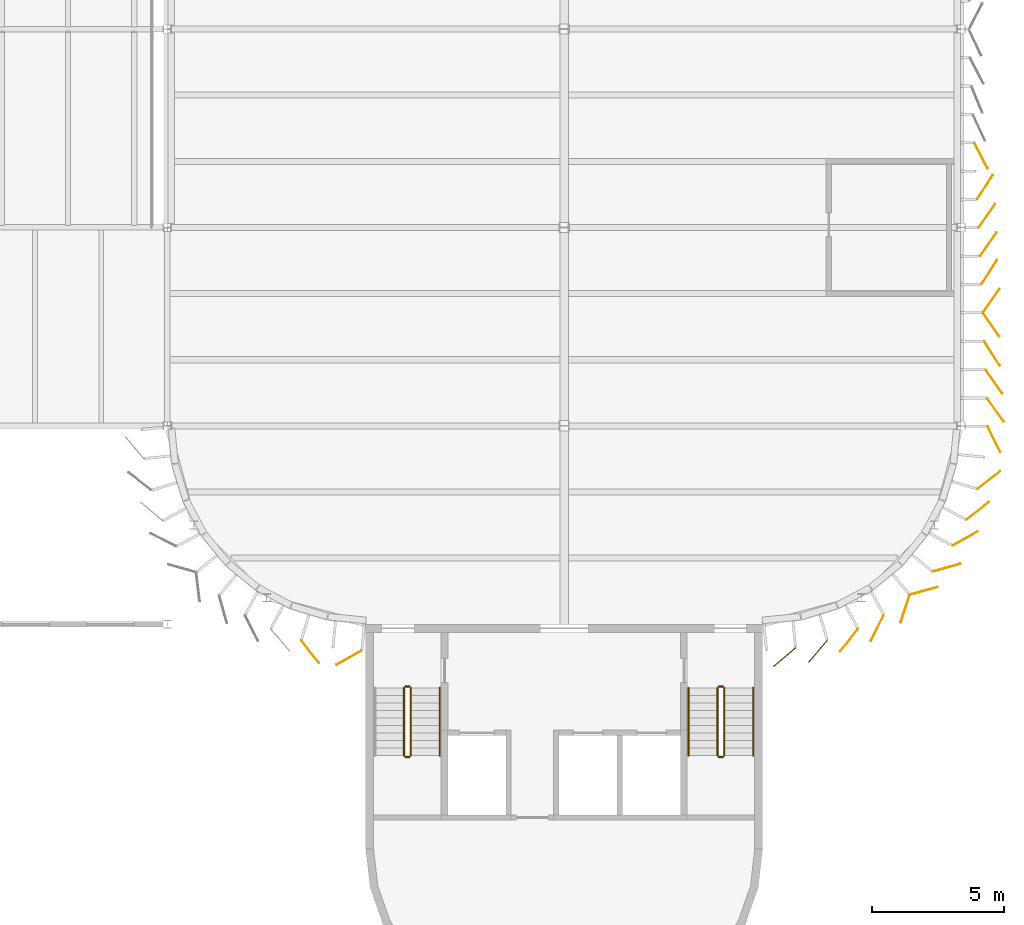
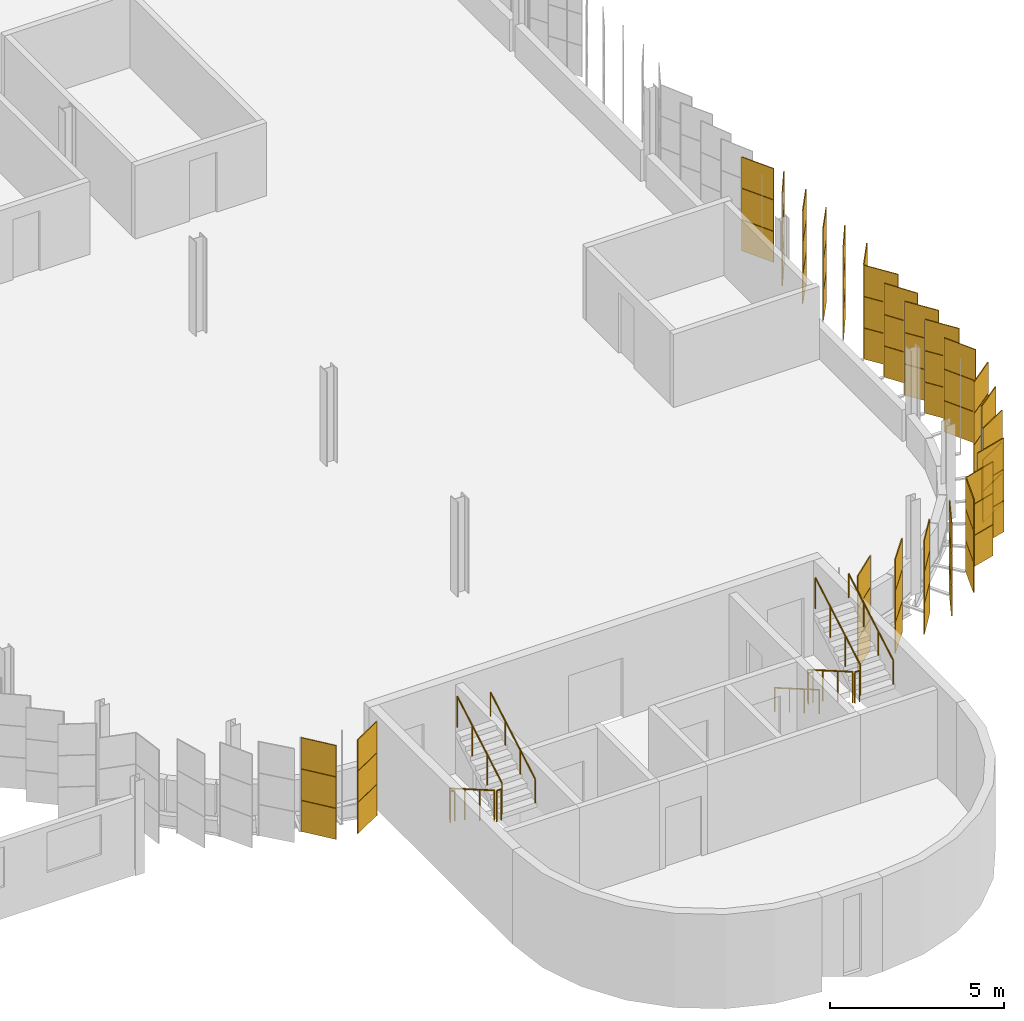
# One storey, part 189 of 199: 69 coverings, 11 railings.
"""IFC4 building model written with IfcOpenShell, lengths in metres."""

from ifc_helpers import new_model, si_unit, direction, frame, origin, origin_2d, place, context, subcontext, project, spatial, rectangle, circle, extrude, material, layer, layer_set, type_object, element, save


model = new_model("IFC4")

# Units and contexts
model_context = context("Model", 3, precision=1e-05, world=origin(), true_north=direction((0.0, 1.0)))
body_context = subcontext(model_context, "Body", "Model", "MODEL_VIEW")
ifc_project = project(units=[si_unit("LENGTHUNIT", "METRE"), si_unit("AREAUNIT", "SQUARE_METRE"), si_unit("VOLUMEUNIT", "CUBIC_METRE"), si_unit("PLANEANGLEUNIT", "RADIAN"), si_unit("MASSUNIT", "GRAM", prefix="KILO")], contexts=[model_context])

# Site, building, storey
site_placement = place(None, origin())
site = spatial("IfcSite", under=ifc_project, at=site_placement, CompositionType="ELEMENT")
building_placement = place(site_placement, origin())
building = spatial("IfcBuilding", under=site, at=building_placement, Name="Parallax Yard Mobility Hub", CompositionType="ELEMENT")
storey_placement = place(building_placement, frame((0.0, 0.0, 9.89990234375)))
storey = spatial("IfcBuildingStorey", under=building, at=storey_placement, Name="L03", CompositionType="ELEMENT", Elevation=9.89990234375)

# Coverings
ifc_material_1 = material(Name="Aluminium panel, champagne finish", Category="aluminium")
ifc_layer_1 = layer(ifc_material_1, 0.030029296875)
ifc_layer_set_1 = layer_set([ifc_layer_1], Name="Skin panel 27.5 degree turn, champagne finish")
covering_type_1 = type_object("IfcCoveringType", Name="Skin panel 27.5 degree turn, champagne finish", PredefinedType="CLADDING", material=ifc_layer_set_1)
covering_placement = place(storey_placement, frame((225.7587890625, 40.20947265625, 0.02001953125), z_axis=(0.0, 0.0, 1.0), x_axis=(0.461748613235, -0.887010833178, 0.0)))
element("IfcCovering", 1, at=covering_placement, inside=storey, type_object=covering_type_1, Name="Skin panel 27.5 bay 34.3 row 1 level L03", ObjectType="SCREEN", PredefinedType="CLADDING", context=body_context, shape_type="SweptSolid", body=[
    extrude(rectangle(XDim=1.080078125, YDim=0.030029296875, at=origin_2d()), origin(), (0.0, 0.0, 1.0), 1.080078125),
])
ifc_material_2 = material(Name="Aluminium panel, silver anodised", Category="aluminium")
ifc_layer_2 = layer(ifc_material_2, 0.030029296875)
ifc_layer_set_2 = layer_set([ifc_layer_2], Name="Skin panel 27.5 degree turn, silver anodised")
covering_type_2 = type_object("IfcCoveringType", Name="Skin panel 27.5 degree turn, silver anodised", PredefinedType="CLADDING", material=ifc_layer_set_2)
for number, where, z_axis, x_axis, name in (
    (2, (225.7587890625, 40.20947265625, 1.1201171875), (0.0, 0.0, 1.0), (0.461748613235, -0.887010833178, 0.0), "Skin panel 27.5 bay 34.3 row 2 level L03"),
    (3, (225.7587890625, 40.20947265625, 2.219970703125), (0.0, 0.0, 1.0), (0.461748613235, -0.887010833178, 0.0), "Skin panel 27.5 bay 34.3 row 3 level L03"),
):
    element("IfcCovering", number, at=place(storey_placement, frame(where, z_axis=z_axis, x_axis=x_axis)), inside=storey, type_object=covering_type_2, Name=name, ObjectType="SCREEN", PredefinedType="CLADDING", context=body_context, shape_type="SweptSolid", body=[
        extrude(rectangle(XDim=1.080078125, YDim=0.030029296875, at=origin_2d()), origin(), (0.0, 0.0, 1.0), 1.080078125),
    ])
ifc_layer_3 = layer(ifc_material_1, 0.030029296875)
ifc_layer_set_3 = layer_set([ifc_layer_3], Name="Skin panel 32.5 degree turn, champagne finish")
covering_type_3 = type_object("IfcCoveringType", Name="Skin panel 32.5 degree turn, champagne finish", PredefinedType="CLADDING", material=ifc_layer_set_3)
for number, where, z_axis, x_axis, name in (
    (4, (219.58837890625, 21.476318359375, 0.02001953125), (0.0, 0.0, 1.0), (-0.651105449912, -0.758987281247, 0.0), "Skin panel 32.5 bay 32.2 row 1 level L03"),
    (5, (222.88623046875, 23.08447265625, 0.02001953125), (0.0, 0.0, 1.0), (-0.311091140771, -0.950380082985, 0.0), "Skin panel 32.5 bay 32.5 row 1 level L03"),
    (6, (225.163818359375, 25.748779296875, 0.02001953125), (0.0, 0.0, 1.0), (0.87142792535, 0.490523568159, 0.0), "Skin panel 32.5 bay 32.8 row 1 level L03"),
    (7, (226.25146484375, 29.4892578125, 0.02001953125), (0.0, 0.0, 1.0), (0.452045546177, -0.891994856589, 0.0), "Skin panel 32.5 bay 32.11 row 1 level L03"),
    (8, (226.17578125, 32.7314453125, 0.02001953125), (0.0, 0.0, 1.0), (0.537299608347, -0.843391445813, 0.0), "Skin panel 32.5 bay 33.3 row 1 level L03"),
    (9, (226.068603515625, 35.8134765625, 0.02001953125), (0.0, 0.0, 1.0), (0.537299608347, 0.843391445813, 0.0), "Skin panel 32.5 bay 33.6 row 1 level L03"),
    (10, (225.90771484375, 39.028564453125, 0.02001953125), (0.0, 0.0, 1.0), (0.537299608347, 0.843391445813, 0.0), "Skin panel 32.5 bay 34.2 row 1 level L03"),
):
    element("IfcCovering", number, at=place(storey_placement, frame(where, z_axis=z_axis, x_axis=x_axis)), inside=storey, type_object=covering_type_3, Name=name, ObjectType="SCREEN", PredefinedType="CLADDING", context=body_context, shape_type="SweptSolid", body=[
        extrude(rectangle(XDim=1.080078125, YDim=0.030029296875, at=origin_2d()), origin(), (0.0, 0.0, 1.0), 1.080078125),
    ])
ifc_layer_4 = layer(ifc_material_2, 0.030029296875)
ifc_layer_set_4 = layer_set([ifc_layer_4], Name="Skin panel 32.5 degree turn, silver anodised")
covering_type_4 = type_object("IfcCoveringType", Name="Skin panel 32.5 degree turn, silver anodised", PredefinedType="CLADDING", material=ifc_layer_set_4)
for number, where, z_axis, x_axis, name in (
    (11, (219.58837890625, 21.476318359375, 1.1201171875), (0.0, 0.0, 1.0), (-0.651105449912, -0.758987281247, 0.0), "Skin panel 32.5 bay 32.2 row 2 level L03"),
    (12, (219.58837890625, 21.476318359375, 2.219970703125), (0.0, 0.0, 1.0), (-0.651105449912, -0.758987281247, 0.0), "Skin panel 32.5 bay 32.2 row 3 level L03"),
    (13, (222.88623046875, 23.08447265625, 1.1201171875), (0.0, 0.0, 1.0), (-0.311091140771, -0.950380082985, 0.0), "Skin panel 32.5 bay 32.5 row 2 level L03"),
    (14, (222.88623046875, 23.08447265625, 2.219970703125), (0.0, 0.0, 1.0), (-0.311091140771, -0.950380082985, 0.0), "Skin panel 32.5 bay 32.5 row 3 level L03"),
    (15, (225.163818359375, 25.748779296875, 1.1201171875), (0.0, 0.0, 1.0), (0.87142792535, 0.490523568159, 0.0), "Skin panel 32.5 bay 32.8 row 2 level L03"),
    (16, (225.163818359375, 25.748779296875, 2.219970703125), (0.0, 0.0, 1.0), (0.87142792535, 0.490523568159, 0.0), "Skin panel 32.5 bay 32.8 row 3 level L03"),
    (17, (226.25146484375, 29.4892578125, 1.1201171875), (0.0, 0.0, 1.0), (0.452045546177, -0.891994856589, 0.0), "Skin panel 32.5 bay 32.11 row 2 level L03"),
    (18, (226.25146484375, 29.4892578125, 2.219970703125), (0.0, 0.0, 1.0), (0.452045546177, -0.891994856589, 0.0), "Skin panel 32.5 bay 32.11 row 3 level L03"),
    (19, (226.17578125, 32.7314453125, 1.1201171875), (0.0, 0.0, 1.0), (0.537299608347, -0.843391445813, 0.0), "Skin panel 32.5 bay 33.3 row 2 level L03"),
    (20, (226.17578125, 32.7314453125, 2.219970703125), (0.0, 0.0, 1.0), (0.537299608347, -0.843391445813, 0.0), "Skin panel 32.5 bay 33.3 row 3 level L03"),
    (21, (226.068603515625, 35.8134765625, 1.1201171875), (0.0, 0.0, 1.0), (0.537299608347, 0.843391445813, 0.0), "Skin panel 32.5 bay 33.6 row 2 level L03"),
    (22, (226.068603515625, 35.8134765625, 2.219970703125), (0.0, 0.0, 1.0), (0.537299608347, 0.843391445813, 0.0), "Skin panel 32.5 bay 33.6 row 3 level L03"),
    (23, (225.90771484375, 39.028564453125, 1.1201171875), (0.0, 0.0, 1.0), (0.537299608347, 0.843391445813, 0.0), "Skin panel 32.5 bay 34.2 row 2 level L03"),
    (24, (225.90771484375, 39.028564453125, 2.219970703125), (0.0, 0.0, 1.0), (0.537299608347, 0.843391445813, 0.0), "Skin panel 32.5 bay 34.2 row 3 level L03"),
):
    element("IfcCovering", number, at=place(storey_placement, frame(where, z_axis=z_axis, x_axis=x_axis)), inside=storey, type_object=covering_type_4, Name=name, ObjectType="SCREEN", PredefinedType="CLADDING", context=body_context, shape_type="SweptSolid", body=[
        extrude(rectangle(XDim=1.080078125, YDim=0.030029296875, at=origin_2d()), origin(), (0.0, 0.0, 1.0), 1.080078125),
    ])
ifc_layer_5 = layer(ifc_material_1, 0.030029296875)
ifc_layer_set_5 = layer_set([ifc_layer_5], Name="Skin panel 35 degree turn, champagne finish")
covering_type_5 = type_object("IfcCoveringType", Name="Skin panel 35 degree turn, champagne finish", PredefinedType="CLADDING", material=ifc_layer_set_5)
for number, where, z_axis, x_axis, name in (
    (25, (200.40380859375, 21.457763671875, 0.02001953125), (0.0, 0.0, 1.0), (0.617379181571, -0.786665714369, 0.0), "Skin panel 35 bay 30.10 row 1 level L03"),
    (26, (201.8671875, 21.23681640625, 0.02001953125), (0.0, 0.0, 1.0), (-0.87142792535, -0.490523568159, 0.0), "Skin panel 35 bay 30.11 row 1 level L03"),
    (27, (218.32470703125, 21.255615234375, 0.02001953125), (0.0, 0.0, 1.0), (-0.758987281247, -0.651105449912, 0.0), "Skin panel 35 bay 32.1 row 1 level L03"),
    (28, (220.76513671875, 21.89404296875, 0.02001953125), (0.0, 0.0, 1.0), (-0.617379181571, -0.786665714369, 0.0), "Skin panel 35 bay 32.3 row 1 level L03"),
    (29, (221.83056640625, 22.355712890625, 0.02001953125), (0.0, 0.0, 1.0), (-0.452045546177, -0.891994856589, 0.0), "Skin panel 35 bay 32.4 row 1 level L03"),
    (30, (223.59521484375, 23.76318359375, 0.02001953125), (0.0, 0.0, 1.0), (0.963045136708, 0.269340053953, 0.0), "Skin panel 35 bay 32.6 row 1 level L03"),
    (31, (224.46435546875, 24.641357421875, 0.02001953125), (0.0, 0.0, 1.0), (0.963045136708, 0.269340053953, 0.0), "Skin panel 35 bay 32.7 row 1 level L03"),
    (32, (225.636962890625, 26.792724609375, 0.02001953125), (0.0, 0.0, 1.0), (0.786665714369, 0.617379181571, 0.0), "Skin panel 35 bay 32.9 row 1 level L03"),
    (33, (226.05810546875, 27.955810546875, 0.02001953125), (0.0, 0.0, 1.0), (0.786665714369, 0.617379181571, 0.0), "Skin panel 35 bay 32.10 row 1 level L03"),
    (34, (226.302978515625, 30.6015625, 0.02001953125), (0.0, 0.0, 1.0), (0.573576436351, -0.819152044289, 0.0), "Skin panel 35 bay 33.1 row 1 level L03"),
    (35, (226.24951171875, 31.67333984375, 0.02001953125), (0.0, 0.0, 1.0), (0.573576436351, -0.819152044289, 0.0), "Skin panel 35 bay 33.2 row 1 level L03"),
    (36, (226.142333984375, 33.816650390625, 0.02001953125), (0.0, 0.0, 1.0), (0.573576436351, -0.819152044289, 0.0), "Skin panel 35 bay 33.4 row 1 level L03"),
    (37, (226.142333984375, 34.728271484375, 0.02001953125), (0.0, 0.0, 1.0), (0.573576436351, 0.819152044289, 0.0), "Skin panel 35 bay 33.5 row 1 level L03"),
    (38, (226.03515625, 36.87158203125, 0.02001953125), (0.0, 0.0, 1.0), (0.573576436351, 0.819152044289, 0.0), "Skin panel 35 bay 33.7 row 1 level L03"),
    (39, (225.981689453125, 37.943359375, 0.02001953125), (0.0, 0.0, 1.0), (0.573576436351, 0.819152044289, 0.0), "Skin panel 35 bay 34.1 row 1 level L03"),
):
    element("IfcCovering", number, at=place(storey_placement, frame(where, z_axis=z_axis, x_axis=x_axis)), inside=storey, type_object=covering_type_5, Name=name, ObjectType="SCREEN", PredefinedType="CLADDING", context=body_context, shape_type="SweptSolid", body=[
        extrude(rectangle(XDim=1.080078125, YDim=0.030029296875, at=origin_2d()), origin(), (0.0, 0.0, 1.0), 1.080078125),
    ])
ifc_layer_6 = layer(ifc_material_2, 0.030029296875)
ifc_layer_set_6 = layer_set([ifc_layer_6], Name="Skin panel 35 degree turn, silver anodised")
covering_type_6 = type_object("IfcCoveringType", Name="Skin panel 35 degree turn, silver anodised", PredefinedType="CLADDING", material=ifc_layer_set_6)
for number, where, z_axis, x_axis, name in (
    (40, (200.40380859375, 21.457763671875, 1.1201171875), (0.0, 0.0, 1.0), (0.617379181571, -0.786665714369, 0.0), "Skin panel 35 bay 30.10 row 2 level L03"),
    (41, (200.40380859375, 21.457763671875, 2.219970703125), (0.0, 0.0, 1.0), (0.617379181571, -0.786665714369, 0.0), "Skin panel 35 bay 30.10 row 3 level L03"),
    (42, (201.8671875, 21.23681640625, 1.1201171875), (0.0, 0.0, 1.0), (-0.87142792535, -0.490523568159, 0.0), "Skin panel 35 bay 30.11 row 2 level L03"),
    (43, (201.8671875, 21.23681640625, 2.219970703125), (0.0, 0.0, 1.0), (-0.87142792535, -0.490523568159, 0.0), "Skin panel 35 bay 30.11 row 3 level L03"),
    (44, (218.32470703125, 21.255615234375, 1.1201171875), (0.0, 0.0, 1.0), (-0.758987281247, -0.651105449912, 0.0), "Skin panel 35 bay 32.1 row 2 level L03"),
    (45, (218.32470703125, 21.255615234375, 2.219970703125), (0.0, 0.0, 1.0), (-0.758987281247, -0.651105449912, 0.0), "Skin panel 35 bay 32.1 row 3 level L03"),
    (46, (220.76513671875, 21.89404296875, 1.1201171875), (0.0, 0.0, 1.0), (-0.617379181571, -0.786665714369, 0.0), "Skin panel 35 bay 32.3 row 2 level L03"),
    (47, (220.76513671875, 21.89404296875, 2.219970703125), (0.0, 0.0, 1.0), (-0.617379181571, -0.786665714369, 0.0), "Skin panel 35 bay 32.3 row 3 level L03"),
    (48, (221.83056640625, 22.355712890625, 1.1201171875), (0.0, 0.0, 1.0), (-0.452045546177, -0.891994856589, 0.0), "Skin panel 35 bay 32.4 row 2 level L03"),
    (49, (221.83056640625, 22.355712890625, 2.219970703125), (0.0, 0.0, 1.0), (-0.452045546177, -0.891994856589, 0.0), "Skin panel 35 bay 32.4 row 3 level L03"),
    (50, (223.59521484375, 23.76318359375, 1.1201171875), (0.0, 0.0, 1.0), (0.963045136708, 0.269340053953, 0.0), "Skin panel 35 bay 32.6 row 2 level L03"),
    (51, (223.59521484375, 23.76318359375, 2.219970703125), (0.0, 0.0, 1.0), (0.963045136708, 0.269340053953, 0.0), "Skin panel 35 bay 32.6 row 3 level L03"),
    (52, (224.46435546875, 24.641357421875, 1.1201171875), (0.0, 0.0, 1.0), (0.963045136708, 0.269340053953, 0.0), "Skin panel 35 bay 32.7 row 2 level L03"),
    (53, (224.46435546875, 24.641357421875, 2.219970703125), (0.0, 0.0, 1.0), (0.963045136708, 0.269340053953, 0.0), "Skin panel 35 bay 32.7 row 3 level L03"),
    (54, (225.636962890625, 26.792724609375, 1.1201171875), (0.0, 0.0, 1.0), (0.786665714369, 0.617379181571, 0.0), "Skin panel 35 bay 32.9 row 2 level L03"),
    (55, (225.636962890625, 26.792724609375, 2.219970703125), (0.0, 0.0, 1.0), (0.786665714369, 0.617379181571, 0.0), "Skin panel 35 bay 32.9 row 3 level L03"),
    (56, (226.05810546875, 27.955810546875, 1.1201171875), (0.0, 0.0, 1.0), (0.786665714369, 0.617379181571, 0.0), "Skin panel 35 bay 32.10 row 2 level L03"),
    (57, (226.05810546875, 27.955810546875, 2.219970703125), (0.0, 0.0, 1.0), (0.786665714369, 0.617379181571, 0.0), "Skin panel 35 bay 32.10 row 3 level L03"),
    (58, (226.302978515625, 30.6015625, 1.1201171875), (0.0, 0.0, 1.0), (0.573576436351, -0.819152044289, 0.0), "Skin panel 35 bay 33.1 row 2 level L03"),
    (59, (226.302978515625, 30.6015625, 2.219970703125), (0.0, 0.0, 1.0), (0.573576436351, -0.819152044289, 0.0), "Skin panel 35 bay 33.1 row 3 level L03"),
    (60, (226.24951171875, 31.67333984375, 1.1201171875), (0.0, 0.0, 1.0), (0.573576436351, -0.819152044289, 0.0), "Skin panel 35 bay 33.2 row 2 level L03"),
    (61, (226.24951171875, 31.67333984375, 2.219970703125), (0.0, 0.0, 1.0), (0.573576436351, -0.819152044289, 0.0), "Skin panel 35 bay 33.2 row 3 level L03"),
    (62, (226.142333984375, 33.816650390625, 1.1201171875), (0.0, 0.0, 1.0), (0.573576436351, -0.819152044289, 0.0), "Skin panel 35 bay 33.4 row 2 level L03"),
    (63, (226.142333984375, 33.816650390625, 2.219970703125), (0.0, 0.0, 1.0), (0.573576436351, -0.819152044289, 0.0), "Skin panel 35 bay 33.4 row 3 level L03"),
    (64, (226.142333984375, 34.728271484375, 1.1201171875), (0.0, 0.0, 1.0), (0.573576436351, 0.819152044289, 0.0), "Skin panel 35 bay 33.5 row 2 level L03"),
    (65, (226.142333984375, 34.728271484375, 2.219970703125), (0.0, 0.0, 1.0), (0.573576436351, 0.819152044289, 0.0), "Skin panel 35 bay 33.5 row 3 level L03"),
    (66, (226.03515625, 36.87158203125, 1.1201171875), (0.0, 0.0, 1.0), (0.573576436351, 0.819152044289, 0.0), "Skin panel 35 bay 33.7 row 2 level L03"),
    (67, (226.03515625, 36.87158203125, 2.219970703125), (0.0, 0.0, 1.0), (0.573576436351, 0.819152044289, 0.0), "Skin panel 35 bay 33.7 row 3 level L03"),
    (68, (225.981689453125, 37.943359375, 1.1201171875), (0.0, 0.0, 1.0), (0.573576436351, 0.819152044289, 0.0), "Skin panel 35 bay 34.1 row 2 level L03"),
    (69, (225.981689453125, 37.943359375, 2.219970703125), (0.0, 0.0, 1.0), (0.573576436351, 0.819152044289, 0.0), "Skin panel 35 bay 34.1 row 3 level L03"),
):
    element("IfcCovering", number, at=place(storey_placement, frame(where, z_axis=z_axis, x_axis=x_axis)), inside=storey, type_object=covering_type_6, Name=name, ObjectType="SCREEN", PredefinedType="CLADDING", context=body_context, shape_type="SweptSolid", body=[
        extrude(rectangle(XDim=1.080078125, YDim=0.030029296875, at=origin_2d()), origin(), (0.0, 0.0, 1.0), 1.080078125),
    ])

# Railings
ifc_material_3 = material(Name="Steel ASTM A36", Category="steel")
railing_type_1 = type_object("IfcRailingType", Name="Stair guard 1100", PredefinedType="GUARDRAIL", material=ifc_material_3)
railing_1_placement = place(storey_placement, frame((215.800048828125, 20.10009765625, 0.1650390625)))
element("IfcRailing", 70, at=railing_1_placement, inside=storey, type_object=railing_type_1, Name="L03 ST9 stair guard 1", PredefinedType="GUARDRAIL", context=body_context, shape_type="SweptSolid", body=[
    extrude(circle(Radius=0.02392578125, at=origin_2d()), frame((0.0, 0.0, 1.076171875), z_axis=(0.0, -0.865426285481, 0.501036270542), x_axis=(1.0, 0.0, 0.0)), (0.0, 0.0, 1.0), 2.964111328125),
    extrude(circle(Radius=0.02099609375, at=origin_2d()), origin(), (0.0, 0.0, 1.0), 1.052001953125),
    extrude(circle(Radius=0.02099609375, at=origin_2d()), frame((0.0, -0.85498046875, 0.4951171875)), (0.0, 0.0, 1.0), 1.052001953125),
    extrude(circle(Radius=0.02099609375, at=origin_2d()), frame((0.0, -1.710205078125, 0.989990234375)), (0.0, 0.0, 1.0), 1.052001953125),
    extrude(circle(Radius=0.02099609375, at=origin_2d()), frame((0.0, -2.565185546875, 1.485107421875)), (0.0, 0.0, 1.0), 1.052001953125),
])
railing_2_placement = place(storey_placement, frame((215.85009765625, 17.485107421875, 1.650146484375)))
element("IfcRailing", 71, at=railing_2_placement, inside=storey, type_object=railing_type_1, Name="L03 ST9 stair guard 2", PredefinedType="GUARDRAIL", context=body_context, shape_type="SweptSolid", body=[
    extrude(circle(Radius=0.02392578125, at=origin_2d()), frame((0.0, 0.0, 1.076171875), z_axis=(1.0, 0.0, 0.0), x_axis=(0.0, 1.0, 0.0)), (0.0, 0.0, 1.0), 0.14990234375),
    extrude(circle(Radius=0.02099609375, at=origin_2d()), origin(), (0.0, 0.0, 1.0), 1.052001953125),
    extrude(circle(Radius=0.02099609375, at=origin_2d()), frame((0.14990234375, 0.0, 0.0)), (0.0, 0.0, 1.0), 1.052001953125),
])
railing_3_placement = place(storey_placement, frame((216.050048828125, 17.534912109375, 1.815185546875)))
element("IfcRailing", 72, at=railing_3_placement, inside=storey, type_object=railing_type_1, Name="L03 ST9 stair guard 3", PredefinedType="GUARDRAIL", context=body_context, shape_type="SweptSolid", body=[
    extrude(circle(Radius=0.02392578125, at=origin_2d()), frame((0.0, 0.0, 1.076171875), z_axis=(0.0, 0.865461999751, 0.500974577186), x_axis=(-1.0, 0.0, 0.0)), (0.0, 0.0, 1.0), 2.9638671875),
    extrude(circle(Radius=0.02099609375, at=origin_2d()), origin(), (0.0, 0.0, 1.0), 1.052001953125),
    extrude(circle(Radius=0.02099609375, at=origin_2d()), frame((0.0, 0.85498046875, 0.494873046875)), (0.0, 0.0, 1.0), 1.052001953125),
    extrude(circle(Radius=0.02099609375, at=origin_2d()), frame((0.0, 1.710205078125, 0.989990234375)), (0.0, 0.0, 1.0), 1.052001953125),
    extrude(circle(Radius=0.02099609375, at=origin_2d()), frame((0.0, 2.565185546875, 1.48486328125)), (0.0, 0.0, 1.0), 1.052001953125),
])
railing_4_placement = place(storey_placement, frame((215.85009765625, 20.14990234375, 0.0)))
element("IfcRailing", 73, at=railing_4_placement, inside=storey, type_object=railing_type_1, Name="L03 ST9 stair guard 4", PredefinedType="GUARDRAIL", context=body_context, shape_type="SweptSolid", body=[
    extrude(circle(Radius=0.02392578125, at=origin_2d()), frame((0.0, 0.0, 1.076171875), z_axis=(1.0, 0.0, 0.0), x_axis=(0.0, 1.0, 0.0)), (0.0, 0.0, 1.0), 0.14990234375),
    extrude(circle(Radius=0.02099609375, at=origin_2d()), origin(), (0.0, 0.0, 1.0), 1.052001953125),
    extrude(circle(Radius=0.02099609375, at=origin_2d()), frame((0.14990234375, 0.0, 0.0)), (0.0, 0.0, 1.0), 1.052001953125),
])
railing_5_placement = place(storey_placement, frame((203.949951171875, 20.10009765625, 0.1650390625)))
element("IfcRailing", 74, at=railing_5_placement, inside=storey, type_object=railing_type_1, Name="L03 ST10 stair guard 1", PredefinedType="GUARDRAIL", context=body_context, shape_type="SweptSolid", body=[
    extrude(circle(Radius=0.02392578125, at=origin_2d()), frame((0.0, 0.0, 1.076171875), z_axis=(0.0, -0.865426285481, 0.501036270542), x_axis=(1.0, 0.0, 0.0)), (0.0, 0.0, 1.0), 2.964111328125),
    extrude(circle(Radius=0.02099609375, at=origin_2d()), origin(), (0.0, 0.0, 1.0), 1.052001953125),
    extrude(circle(Radius=0.02099609375, at=origin_2d()), frame((0.0, -0.85498046875, 0.4951171875)), (0.0, 0.0, 1.0), 1.052001953125),
    extrude(circle(Radius=0.02099609375, at=origin_2d()), frame((0.0, -1.710205078125, 0.989990234375)), (0.0, 0.0, 1.0), 1.052001953125),
    extrude(circle(Radius=0.02099609375, at=origin_2d()), frame((0.0, -2.565185546875, 1.485107421875)), (0.0, 0.0, 1.0), 1.052001953125),
])
railing_6_placement = place(storey_placement, frame((204.0, 17.485107421875, 1.650146484375)))
element("IfcRailing", 75, at=railing_6_placement, inside=storey, type_object=railing_type_1, Name="L03 ST10 stair guard 2", PredefinedType="GUARDRAIL", context=body_context, shape_type="SweptSolid", body=[
    extrude(circle(Radius=0.02392578125, at=origin_2d()), frame((0.0, 0.0, 1.076171875), z_axis=(1.0, 0.0, 0.0), x_axis=(0.0, 1.0, 0.0)), (0.0, 0.0, 1.0), 0.14990234375),
    extrude(circle(Radius=0.02099609375, at=origin_2d()), origin(), (0.0, 0.0, 1.0), 1.052001953125),
    extrude(circle(Radius=0.02099609375, at=origin_2d()), frame((0.14990234375, 0.0, 0.0)), (0.0, 0.0, 1.0), 1.052001953125),
])
railing_7_placement = place(storey_placement, frame((204.199951171875, 17.534912109375, 1.815185546875)))
element("IfcRailing", 76, at=railing_7_placement, inside=storey, type_object=railing_type_1, Name="L03 ST10 stair guard 3", PredefinedType="GUARDRAIL", context=body_context, shape_type="SweptSolid", body=[
    extrude(circle(Radius=0.02392578125, at=origin_2d()), frame((0.0, 0.0, 1.076171875), z_axis=(0.0, 0.865461999751, 0.500974577186), x_axis=(-1.0, 0.0, 0.0)), (0.0, 0.0, 1.0), 2.9638671875),
    extrude(circle(Radius=0.02099609375, at=origin_2d()), origin(), (0.0, 0.0, 1.0), 1.052001953125),
    extrude(circle(Radius=0.02099609375, at=origin_2d()), frame((0.0, 0.85498046875, 0.494873046875)), (0.0, 0.0, 1.0), 1.052001953125),
    extrude(circle(Radius=0.02099609375, at=origin_2d()), frame((0.0, 1.710205078125, 0.989990234375)), (0.0, 0.0, 1.0), 1.052001953125),
    extrude(circle(Radius=0.02099609375, at=origin_2d()), frame((0.0, 2.565185546875, 1.48486328125)), (0.0, 0.0, 1.0), 1.052001953125),
])
railing_8_placement = place(storey_placement, frame((204.0, 20.14990234375, 0.0)))
element("IfcRailing", 77, at=railing_8_placement, inside=storey, type_object=railing_type_1, Name="L03 ST10 stair guard 4", PredefinedType="GUARDRAIL", context=body_context, shape_type="SweptSolid", body=[
    extrude(circle(Radius=0.02392578125, at=origin_2d()), frame((0.0, 0.0, 1.076171875), z_axis=(1.0, 0.0, 0.0), x_axis=(0.0, 1.0, 0.0)), (0.0, 0.0, 1.0), 0.14990234375),
    extrude(circle(Radius=0.02099609375, at=origin_2d()), origin(), (0.0, 0.0, 1.0), 1.052001953125),
    extrude(circle(Radius=0.02099609375, at=origin_2d()), frame((0.14990234375, 0.0, 0.0)), (0.0, 0.0, 1.0), 1.052001953125),
])
railing_type_2 = type_object("IfcRailingType", Name="Stair handrail", PredefinedType="HANDRAIL", material=ifc_material_3)
railing_9_placement = place(storey_placement, frame((214.699951171875, 20.10009765625, 0.1650390625)))
element("IfcRailing", 78, at=railing_9_placement, inside=storey, type_object=railing_type_2, Name="L03 ST9 stair handrail 1", PredefinedType="HANDRAIL", context=body_context, shape_type="SweptSolid", body=[
    extrude(circle(Radius=0.02392578125, at=origin_2d()), frame((0.0, 0.0, 0.8310546875), z_axis=(0.0, -0.865426285481, 0.501036270542), x_axis=(1.0, 0.0, 0.0)), (0.0, 0.0, 1.0), 2.964111328125),
    extrude(circle(Radius=0.02099609375, at=origin_2d()), origin(), (0.0, 0.0, 1.0), 0.806884765625),
    extrude(circle(Radius=0.02099609375, at=origin_2d()), frame((0.0, -0.85498046875, 0.4951171875)), (0.0, 0.0, 1.0), 0.806884765625),
    extrude(circle(Radius=0.02099609375, at=origin_2d()), frame((0.0, -1.710205078125, 0.989990234375)), (0.0, 0.0, 1.0), 0.806884765625),
    extrude(circle(Radius=0.02099609375, at=origin_2d()), frame((0.0, -2.565185546875, 1.485107421875)), (0.0, 0.0, 1.0), 0.806884765625),
])
for number, where, name in (
    (79, (217.14990234375, 17.534912109375, 1.815185546875), "L03 ST9 stair handrail 2"),
    (80, (205.300048828125, 17.534912109375, 1.815185546875), "L03 ST10 stair handrail 2"),
):
    element("IfcRailing", number, at=place(storey_placement, frame(where)), inside=storey, type_object=railing_type_2, Name=name, PredefinedType="HANDRAIL", context=body_context, shape_type="SweptSolid", body=[
        extrude(circle(Radius=0.02392578125, at=origin_2d()), frame((0.0, 0.0, 0.8310546875), z_axis=(0.0, 0.865461999751, 0.500974577186), x_axis=(-1.0, 0.0, 0.0)), (0.0, 0.0, 1.0), 2.9638671875),
        extrude(circle(Radius=0.02099609375, at=origin_2d()), origin(), (0.0, 0.0, 1.0), 0.806884765625),
        extrude(circle(Radius=0.02099609375, at=origin_2d()), frame((0.0, 0.85498046875, 0.494873046875)), (0.0, 0.0, 1.0), 0.806884765625),
        extrude(circle(Radius=0.02099609375, at=origin_2d()), frame((0.0, 1.710205078125, 0.989990234375)), (0.0, 0.0, 1.0), 0.806884765625),
        extrude(circle(Radius=0.02099609375, at=origin_2d()), frame((0.0, 2.565185546875, 1.48486328125)), (0.0, 0.0, 1.0), 0.806884765625),
    ])

save(model, "model.ifc")
